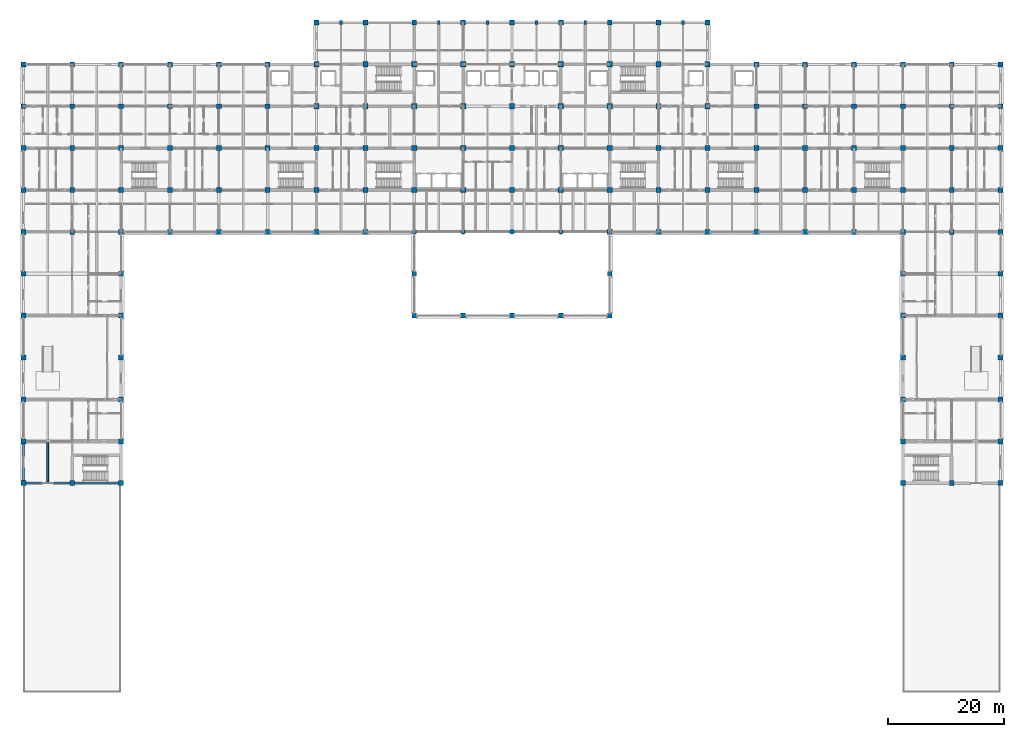
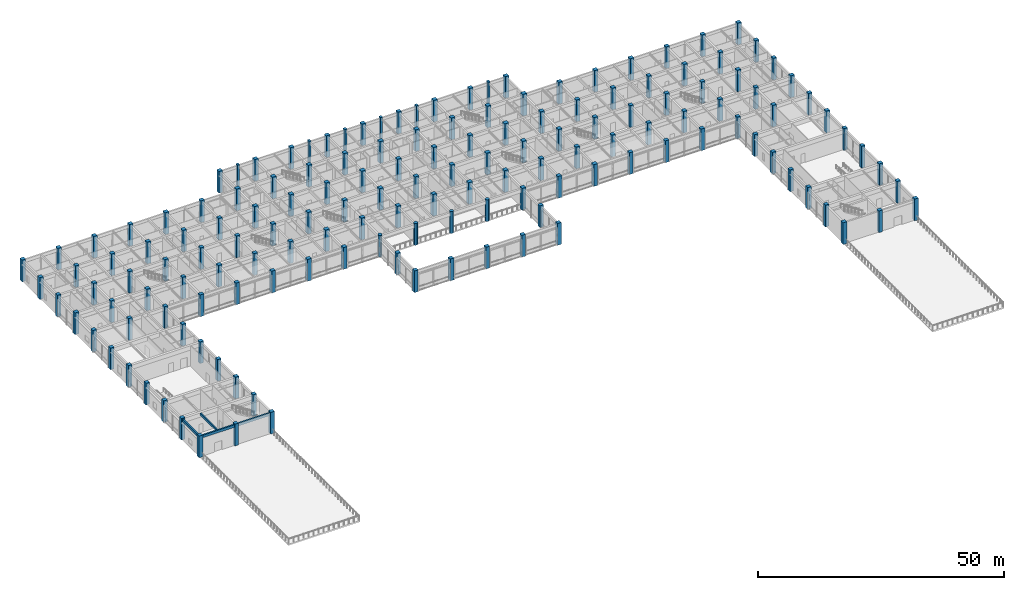
# One storey, part 1 of 51: 153 columns, 4 beams.
"""IFC4 building model written with IfcOpenShell, lengths in metres."""

from ifc_helpers import new_model, si_unit, direction, frame, origin, origin_2d, place, context, subcontext, project, spatial, rectangle, circle, extrude, material, material_profile, profile_set, type_object, element, save


model = new_model("IFC4")

# Units and contexts
model_context = context("Model", 3, precision=1e-05, world=origin(), true_north=direction((0.0, 1.0)))
body_context = subcontext(model_context, "Body", "Model", "MODEL_VIEW")
ifc_project = project(units=[si_unit("LENGTHUNIT", "METRE"), si_unit("AREAUNIT", "SQUARE_METRE"), si_unit("VOLUMEUNIT", "CUBIC_METRE"), si_unit("PLANEANGLEUNIT", "RADIAN"), si_unit("MASSUNIT", "GRAM", prefix="KILO")], contexts=[model_context])

# Site, building, storey
site_placement = place(None, origin())
site = spatial("IfcSite", under=ifc_project, at=site_placement, CompositionType="ELEMENT")
building_placement = place(site_placement, origin())
building = spatial("IfcBuilding", under=site, at=building_placement, Name="Chengyuan Square Courthouse", CompositionType="ELEMENT")
storey_placement = place(building_placement, frame((0.0, 0.0, 10.800048828125)))
storey = spatial("IfcBuildingStorey", under=building, at=storey_placement, Name="L03", CompositionType="ELEMENT", Elevation=10.800048828125)

# Columns
ifc_material_1 = material(Name="Concrete C50", Category="concrete")
ifc_material_profile_1 = material_profile(ifc_material_1, rectangle(XDim=0.89990234375, YDim=0.89990234375, at=origin_2d()), Name="RC-COL-900x900")
ifc_profile_set_1 = profile_set([ifc_material_profile_1], Name="Concrete C50")
column_type_1 = type_object("IfcColumnType", Name="CL-02", PredefinedType="COLUMN", material=ifc_profile_set_1)
for number, where, z_axis, x_axis, name in (
    (1, (50.39990234375, 79.199951171875, 0.0), (0.0, 0.0, 1.0), (1.0, 0.0, 0.0), "Column CL-L03-044"),
    (2, (50.39990234375, 86.39990234375, 0.0), (0.0, 0.0, 1.0), (1.0, 0.0, 0.0), "Column CL-L03-045"),
    (3, (50.39990234375, 93.60009765625, 0.0), (0.0, 0.0, 1.0), (1.0, 0.0, 0.0), "Column CL-L03-046"),
    (4, (50.39990234375, 100.800048828125, 0.0), (0.0, 0.0, 1.0), (1.0, 0.0, 0.0), "Column CL-L03-047"),
    (5, (50.39990234375, 108.0, 0.0), (0.0, 0.0, 1.0), (1.0, 0.0, 0.0), "Column CL-L03-048"),
    (6, (58.800048828125, 79.199951171875, 0.0), (0.0, 0.0, 1.0), (1.0, 0.0, 0.0), "Column CL-L03-050"),
    (7, (58.800048828125, 86.39990234375, 0.0), (0.0, 0.0, 1.0), (1.0, 0.0, 0.0), "Column CL-L03-051"),
    (8, (58.800048828125, 93.60009765625, 0.0), (0.0, 0.0, 1.0), (1.0, 0.0, 0.0), "Column CL-L03-052"),
    (9, (58.800048828125, 100.800048828125, 0.0), (0.0, 0.0, 1.0), (1.0, 0.0, 0.0), "Column CL-L03-053"),
    (10, (58.800048828125, 108.0, 0.0), (0.0, 0.0, 1.0), (1.0, 0.0, 0.0), "Column CL-L03-054"),
    (11, (67.199951171875, 86.39990234375, 0.0), (0.0, 0.0, 1.0), (1.0, 0.0, 0.0), "Column CL-L03-059"),
    (12, (67.199951171875, 93.60009765625, 0.0), (0.0, 0.0, 1.0), (1.0, 0.0, 0.0), "Column CL-L03-060"),
    (13, (67.199951171875, 100.800048828125, 0.0), (0.0, 0.0, 1.0), (1.0, 0.0, 0.0), "Column CL-L03-061"),
    (14, (67.199951171875, 108.0, 0.0), (0.0, 0.0, 1.0), (1.0, 0.0, 0.0), "Column CL-L03-062"),
    (15, (75.60009765625, 86.39990234375, 0.0), (0.0, 0.0, 1.0), (1.0, 0.0, 0.0), "Column CL-L03-066"),
    (16, (75.60009765625, 93.60009765625, 0.0), (0.0, 0.0, 1.0), (1.0, 0.0, 0.0), "Column CL-L03-067"),
    (17, (75.60009765625, 100.800048828125, 0.0), (0.0, 0.0, 1.0), (1.0, 0.0, 0.0), "Column CL-L03-068"),
    (18, (75.60009765625, 108.0, 0.0), (0.0, 0.0, 1.0), (1.0, 0.0, 0.0), "Column CL-L03-069"),
    (19, (84.0, 86.39990234375, 0.0), (0.0, 0.0, 1.0), (1.0, 0.0, 0.0), "Column CL-L03-073"),
    (20, (84.0, 93.60009765625, 0.0), (0.0, 0.0, 1.0), (1.0, 0.0, 0.0), "Column CL-L03-074"),
    (21, (84.0, 100.800048828125, 0.0), (0.0, 0.0, 1.0), (1.0, 0.0, 0.0), "Column CL-L03-075"),
    (22, (84.0, 108.0, 0.0), (0.0, 0.0, 1.0), (1.0, 0.0, 0.0), "Column CL-L03-076"),
    (23, (92.39990234375, 86.39990234375, 0.0), (0.0, 0.0, 1.0), (1.0, 0.0, 0.0), "Column CL-L03-080"),
    (24, (92.39990234375, 93.60009765625, 0.0), (0.0, 0.0, 1.0), (1.0, 0.0, 0.0), "Column CL-L03-081"),
    (25, (92.39990234375, 100.800048828125, 0.0), (0.0, 0.0, 1.0), (1.0, 0.0, 0.0), "Column CL-L03-082"),
    (26, (92.39990234375, 108.0, 0.0), (0.0, 0.0, 1.0), (1.0, 0.0, 0.0), "Column CL-L03-083"),
    (27, (100.800048828125, 79.199951171875, 0.0), (0.0, 0.0, 1.0), (1.0, 0.0, 0.0), "Column CL-L03-087"),
    (28, (100.800048828125, 86.39990234375, 0.0), (0.0, 0.0, 1.0), (1.0, 0.0, 0.0), "Column CL-L03-088"),
    (29, (100.800048828125, 93.60009765625, 0.0), (0.0, 0.0, 1.0), (1.0, 0.0, 0.0), "Column CL-L03-089"),
    (30, (100.800048828125, 100.800048828125, 0.0), (0.0, 0.0, 1.0), (1.0, 0.0, 0.0), "Column CL-L03-090"),
    (31, (100.800048828125, 108.0, 0.0), (0.0, 0.0, 1.0), (1.0, 0.0, 0.0), "Column CL-L03-091"),
    (32, (109.199951171875, 79.199951171875, 0.0), (0.0, 0.0, 1.0), (1.0, 0.0, 0.0), "Column CL-L03-093"),
    (33, (109.199951171875, 86.39990234375, 0.0), (0.0, 0.0, 1.0), (1.0, 0.0, 0.0), "Column CL-L03-094"),
    (34, (109.199951171875, 93.60009765625, 0.0), (0.0, 0.0, 1.0), (1.0, 0.0, 0.0), "Column CL-L03-095"),
    (35, (109.199951171875, 100.800048828125, 0.0), (0.0, 0.0, 1.0), (1.0, 0.0, 0.0), "Column CL-L03-096"),
    (36, (109.199951171875, 108.0, 0.0), (0.0, 0.0, 1.0), (1.0, 0.0, 0.0), "Column CL-L03-097"),
    (37, (117.60009765625, 79.199951171875, 0.0), (0.0, 0.0, 1.0), (1.0, 0.0, 0.0), "Column CL-L03-099"),
    (38, (117.60009765625, 86.39990234375, 0.0), (0.0, 0.0, 1.0), (1.0, 0.0, 0.0), "Column CL-L03-100"),
    (39, (117.60009765625, 93.60009765625, 0.0), (0.0, 0.0, 1.0), (1.0, 0.0, 0.0), "Column CL-L03-101"),
    (40, (117.60009765625, 100.800048828125, 0.0), (0.0, 0.0, 1.0), (1.0, 0.0, 0.0), "Column CL-L03-102"),
    (41, (117.60009765625, 108.0, 0.0), (0.0, 0.0, 1.0), (1.0, 0.0, 0.0), "Column CL-L03-103"),
):
    element("IfcColumn", number, at=place(storey_placement, frame(where, z_axis=z_axis, x_axis=x_axis)), inside=storey, type_object=column_type_1, Name=name, PredefinedType="COLUMN", context=body_context, shape_type="SweptSolid", body=[
        extrude(rectangle(XDim=0.89990234375, YDim=0.89990234375, at=origin_2d()), origin(), (0.0, 0.0, 1.0), 5.39990234375),
    ])
ifc_material_profile_2 = material_profile(ifc_material_1, rectangle(XDim=0.85009765625, YDim=0.85009765625, at=origin_2d()), Name="RC-COL-850x850")
ifc_profile_set_2 = profile_set([ifc_material_profile_2], Name="Concrete C50")
column_type_2 = type_object("IfcColumnType", Name="CL-03", PredefinedType="COLUMN", material=ifc_profile_set_2)
for number, where, z_axis, x_axis, name in (
    (42, (0.0, 36.0, 0.0), (0.0, 0.0, 1.0), (1.0, 0.0, 0.0), "Column CL-L03-001"),
    (43, (0.0, 43.199951171875, 0.0), (0.0, 0.0, 1.0), (1.0, 0.0, 0.0), "Column CL-L03-002"),
    (44, (0.0, 50.39990234375, 0.0), (0.0, 0.0, 1.0), (1.0, 0.0, 0.0), "Column CL-L03-003"),
    (45, (0.0, 57.60009765625, 0.0), (0.0, 0.0, 1.0), (1.0, 0.0, 0.0), "Column CL-L03-004"),
    (46, (0.0, 64.800048828125, 0.0), (0.0, 0.0, 1.0), (1.0, 0.0, 0.0), "Column CL-L03-005"),
    (47, (0.0, 72.0, 0.0), (0.0, 0.0, 1.0), (1.0, 0.0, 0.0), "Column CL-L03-006"),
    (48, (0.0, 79.199951171875, 0.0), (0.0, 0.0, 1.0), (1.0, 0.0, 0.0), "Column CL-L03-007"),
    (49, (0.0, 86.39990234375, 0.0), (0.0, 0.0, 1.0), (1.0, 0.0, 0.0), "Column CL-L03-008"),
    (50, (0.0, 93.60009765625, 0.0), (0.0, 0.0, 1.0), (1.0, 0.0, 0.0), "Column CL-L03-009"),
    (51, (0.0, 100.800048828125, 0.0), (0.0, 0.0, 1.0), (1.0, 0.0, 0.0), "Column CL-L03-010"),
    (52, (0.0, 108.0, 0.0), (0.0, 0.0, 1.0), (1.0, 0.0, 0.0), "Column CL-L03-011"),
    (53, (8.39990234375, 36.0, 0.0), (0.0, 0.0, 1.0), (1.0, 0.0, 0.0), "Column CL-L03-012"),
    (54, (8.39990234375, 79.199951171875, 0.0), (0.0, 0.0, 1.0), (1.0, 0.0, 0.0), "Column CL-L03-013"),
    (55, (8.39990234375, 86.39990234375, 0.0), (0.0, 0.0, 1.0), (1.0, 0.0, 0.0), "Column CL-L03-014"),
    (56, (8.39990234375, 93.60009765625, 0.0), (0.0, 0.0, 1.0), (1.0, 0.0, 0.0), "Column CL-L03-015"),
    (57, (8.39990234375, 100.800048828125, 0.0), (0.0, 0.0, 1.0), (1.0, 0.0, 0.0), "Column CL-L03-016"),
    (58, (8.39990234375, 108.0, 0.0), (0.0, 0.0, 1.0), (1.0, 0.0, 0.0), "Column CL-L03-017"),
    (59, (16.800048828125, 36.0, 0.0), (0.0, 0.0, 1.0), (1.0, 0.0, 0.0), "Column CL-L03-018"),
    (60, (16.800048828125, 43.199951171875, 0.0), (0.0, 0.0, 1.0), (1.0, 0.0, 0.0), "Column CL-L03-019"),
    (61, (16.800048828125, 50.39990234375, 0.0), (0.0, 0.0, 1.0), (1.0, 0.0, 0.0), "Column CL-L03-020"),
    (62, (16.800048828125, 57.60009765625, 0.0), (0.0, 0.0, 1.0), (1.0, 0.0, 0.0), "Column CL-L03-021"),
    (63, (16.800048828125, 64.800048828125, 0.0), (0.0, 0.0, 1.0), (1.0, 0.0, 0.0), "Column CL-L03-022"),
    (64, (16.800048828125, 72.0, 0.0), (0.0, 0.0, 1.0), (1.0, 0.0, 0.0), "Column CL-L03-023"),
    (65, (16.800048828125, 79.199951171875, 0.0), (0.0, 0.0, 1.0), (1.0, 0.0, 0.0), "Column CL-L03-024"),
    (66, (16.800048828125, 86.39990234375, 0.0), (0.0, 0.0, 1.0), (1.0, 0.0, 0.0), "Column CL-L03-025"),
    (67, (16.800048828125, 93.60009765625, 0.0), (0.0, 0.0, 1.0), (1.0, 0.0, 0.0), "Column CL-L03-026"),
    (68, (16.800048828125, 100.800048828125, 0.0), (0.0, 0.0, 1.0), (1.0, 0.0, 0.0), "Column CL-L03-027"),
    (69, (16.800048828125, 108.0, 0.0), (0.0, 0.0, 1.0), (1.0, 0.0, 0.0), "Column CL-L03-028"),
    (70, (25.199951171875, 79.199951171875, 0.0), (0.0, 0.0, 1.0), (1.0, 0.0, 0.0), "Column CL-L03-029"),
    (71, (25.199951171875, 86.39990234375, 0.0), (0.0, 0.0, 1.0), (1.0, 0.0, 0.0), "Column CL-L03-030"),
    (72, (25.199951171875, 93.60009765625, 0.0), (0.0, 0.0, 1.0), (1.0, 0.0, 0.0), "Column CL-L03-031"),
    (73, (25.199951171875, 100.800048828125, 0.0), (0.0, 0.0, 1.0), (1.0, 0.0, 0.0), "Column CL-L03-032"),
    (74, (25.199951171875, 108.0, 0.0), (0.0, 0.0, 1.0), (1.0, 0.0, 0.0), "Column CL-L03-033"),
    (75, (33.60009765625, 79.199951171875, 0.0), (0.0, 0.0, 1.0), (1.0, 0.0, 0.0), "Column CL-L03-034"),
    (76, (33.60009765625, 86.39990234375, 0.0), (0.0, 0.0, 1.0), (1.0, 0.0, 0.0), "Column CL-L03-035"),
    (77, (33.60009765625, 93.60009765625, 0.0), (0.0, 0.0, 1.0), (1.0, 0.0, 0.0), "Column CL-L03-036"),
    (78, (33.60009765625, 100.800048828125, 0.0), (0.0, 0.0, 1.0), (1.0, 0.0, 0.0), "Column CL-L03-037"),
    (79, (33.60009765625, 108.0, 0.0), (0.0, 0.0, 1.0), (1.0, 0.0, 0.0), "Column CL-L03-038"),
    (80, (42.0, 79.199951171875, 0.0), (0.0, 0.0, 1.0), (1.0, 0.0, 0.0), "Column CL-L03-039"),
    (81, (42.0, 86.39990234375, 0.0), (0.0, 0.0, 1.0), (1.0, 0.0, 0.0), "Column CL-L03-040"),
    (82, (42.0, 93.60009765625, 0.0), (0.0, 0.0, 1.0), (1.0, 0.0, 0.0), "Column CL-L03-041"),
    (83, (42.0, 100.800048828125, 0.0), (0.0, 0.0, 1.0), (1.0, 0.0, 0.0), "Column CL-L03-042"),
    (84, (42.0, 108.0, 0.0), (0.0, 0.0, 1.0), (1.0, 0.0, 0.0), "Column CL-L03-043"),
    (85, (50.39990234375, 115.199951171875, 0.0), (0.0, 0.0, 1.0), (1.0, 0.0, 0.0), "Column CL-L03-049"),
    (86, (58.800048828125, 115.199951171875, 0.0), (0.0, 0.0, 1.0), (1.0, 0.0, 0.0), "Column CL-L03-055"),
    (87, (67.199951171875, 64.800048828125, 0.0), (0.0, 0.0, 1.0), (1.0, 0.0, 0.0), "Column CL-L03-056"),
    (88, (67.199951171875, 72.0, 0.0), (0.0, 0.0, 1.0), (1.0, 0.0, 0.0), "Column CL-L03-057"),
    (89, (67.199951171875, 115.199951171875, 0.0), (0.0, 0.0, 1.0), (1.0, 0.0, 0.0), "Column CL-L03-063"),
    (90, (75.60009765625, 64.800048828125, 0.0), (0.0, 0.0, 1.0), (1.0, 0.0, 0.0), "Column CL-L03-064"),
    (91, (75.60009765625, 115.199951171875, 0.0), (0.0, 0.0, 1.0), (1.0, 0.0, 0.0), "Column CL-L03-070"),
    (92, (84.0, 64.800048828125, 0.0), (0.0, 0.0, 1.0), (1.0, 0.0, 0.0), "Column CL-L03-071"),
    (93, (84.0, 115.199951171875, 0.0), (0.0, 0.0, 1.0), (1.0, 0.0, 0.0), "Column CL-L03-077"),
    (94, (92.39990234375, 64.800048828125, 0.0), (0.0, 0.0, 1.0), (1.0, 0.0, 0.0), "Column CL-L03-078"),
    (95, (92.39990234375, 115.199951171875, 0.0), (0.0, 0.0, 1.0), (1.0, 0.0, 0.0), "Column CL-L03-084"),
    (96, (100.800048828125, 64.800048828125, 0.0), (0.0, 0.0, 1.0), (1.0, 0.0, 0.0), "Column CL-L03-085"),
    (97, (100.800048828125, 72.0, 0.0), (0.0, 0.0, 1.0), (1.0, 0.0, 0.0), "Column CL-L03-086"),
    (98, (100.800048828125, 115.199951171875, 0.0), (0.0, 0.0, 1.0), (1.0, 0.0, 0.0), "Column CL-L03-092"),
    (99, (109.199951171875, 115.199951171875, 0.0), (0.0, 0.0, 1.0), (1.0, 0.0, 0.0), "Column CL-L03-098"),
    (100, (117.60009765625, 115.199951171875, 0.0), (0.0, 0.0, 1.0), (1.0, 0.0, 0.0), "Column CL-L03-104"),
    (101, (126.0, 79.199951171875, 0.0), (0.0, 0.0, 1.0), (1.0, 0.0, 0.0), "Column CL-L03-105"),
    (102, (126.0, 86.39990234375, 0.0), (0.0, 0.0, 1.0), (1.0, 0.0, 0.0), "Column CL-L03-106"),
    (103, (126.0, 93.60009765625, 0.0), (0.0, 0.0, 1.0), (1.0, 0.0, 0.0), "Column CL-L03-107"),
    (104, (126.0, 100.800048828125, 0.0), (0.0, 0.0, 1.0), (1.0, 0.0, 0.0), "Column CL-L03-108"),
    (105, (126.0, 108.0, 0.0), (0.0, 0.0, 1.0), (1.0, 0.0, 0.0), "Column CL-L03-109"),
    (106, (134.39990234375, 79.199951171875, 0.0), (0.0, 0.0, 1.0), (1.0, 0.0, 0.0), "Column CL-L03-110"),
    (107, (134.39990234375, 86.39990234375, 0.0), (0.0, 0.0, 1.0), (1.0, 0.0, 0.0), "Column CL-L03-111"),
    (108, (134.39990234375, 93.60009765625, 0.0), (0.0, 0.0, 1.0), (1.0, 0.0, 0.0), "Column CL-L03-112"),
    (109, (134.39990234375, 100.800048828125, 0.0), (0.0, 0.0, 1.0), (1.0, 0.0, 0.0), "Column CL-L03-113"),
    (110, (134.39990234375, 108.0, 0.0), (0.0, 0.0, 1.0), (1.0, 0.0, 0.0), "Column CL-L03-114"),
    (111, (142.800048828125, 79.199951171875, 0.0), (0.0, 0.0, 1.0), (1.0, 0.0, 0.0), "Column CL-L03-115"),
    (112, (142.800048828125, 86.39990234375, 0.0), (0.0, 0.0, 1.0), (1.0, 0.0, 0.0), "Column CL-L03-116"),
    (113, (142.800048828125, 93.60009765625, 0.0), (0.0, 0.0, 1.0), (1.0, 0.0, 0.0), "Column CL-L03-117"),
    (114, (142.800048828125, 100.800048828125, 0.0), (0.0, 0.0, 1.0), (1.0, 0.0, 0.0), "Column CL-L03-118"),
    (115, (142.800048828125, 108.0, 0.0), (0.0, 0.0, 1.0), (1.0, 0.0, 0.0), "Column CL-L03-119"),
    (116, (151.199951171875, 36.0, 0.0), (0.0, 0.0, 1.0), (1.0, 0.0, 0.0), "Column CL-L03-120"),
    (117, (151.199951171875, 43.199951171875, 0.0), (0.0, 0.0, 1.0), (1.0, 0.0, 0.0), "Column CL-L03-121"),
    (118, (151.199951171875, 50.39990234375, 0.0), (0.0, 0.0, 1.0), (1.0, 0.0, 0.0), "Column CL-L03-122"),
    (119, (151.199951171875, 57.60009765625, 0.0), (0.0, 0.0, 1.0), (1.0, 0.0, 0.0), "Column CL-L03-123"),
    (120, (151.199951171875, 64.800048828125, 0.0), (0.0, 0.0, 1.0), (1.0, 0.0, 0.0), "Column CL-L03-124"),
    (121, (151.199951171875, 72.0, 0.0), (0.0, 0.0, 1.0), (1.0, 0.0, 0.0), "Column CL-L03-125"),
    (122, (151.199951171875, 79.199951171875, 0.0), (0.0, 0.0, 1.0), (1.0, 0.0, 0.0), "Column CL-L03-126"),
    (123, (151.199951171875, 86.39990234375, 0.0), (0.0, 0.0, 1.0), (1.0, 0.0, 0.0), "Column CL-L03-127"),
    (124, (151.199951171875, 93.60009765625, 0.0), (0.0, 0.0, 1.0), (1.0, 0.0, 0.0), "Column CL-L03-128"),
    (125, (151.199951171875, 100.800048828125, 0.0), (0.0, 0.0, 1.0), (1.0, 0.0, 0.0), "Column CL-L03-129"),
    (126, (151.199951171875, 108.0, 0.0), (0.0, 0.0, 1.0), (1.0, 0.0, 0.0), "Column CL-L03-130"),
    (127, (159.60009765625, 36.0, 0.0), (0.0, 0.0, 1.0), (1.0, 0.0, 0.0), "Column CL-L03-131"),
    (128, (159.60009765625, 79.199951171875, 0.0), (0.0, 0.0, 1.0), (1.0, 0.0, 0.0), "Column CL-L03-132"),
    (129, (159.60009765625, 86.39990234375, 0.0), (0.0, 0.0, 1.0), (1.0, 0.0, 0.0), "Column CL-L03-133"),
    (130, (159.60009765625, 93.60009765625, 0.0), (0.0, 0.0, 1.0), (1.0, 0.0, 0.0), "Column CL-L03-134"),
    (131, (159.60009765625, 100.800048828125, 0.0), (0.0, 0.0, 1.0), (1.0, 0.0, 0.0), "Column CL-L03-135"),
    (132, (159.60009765625, 108.0, 0.0), (0.0, 0.0, 1.0), (1.0, 0.0, 0.0), "Column CL-L03-136"),
    (133, (168.0, 36.0, 0.0), (0.0, 0.0, 1.0), (1.0, 0.0, 0.0), "Column CL-L03-137"),
    (134, (168.0, 43.199951171875, 0.0), (0.0, 0.0, 1.0), (1.0, 0.0, 0.0), "Column CL-L03-138"),
    (135, (168.0, 50.39990234375, 0.0), (0.0, 0.0, 1.0), (1.0, 0.0, 0.0), "Column CL-L03-139"),
    (136, (168.0, 57.60009765625, 0.0), (0.0, 0.0, 1.0), (1.0, 0.0, 0.0), "Column CL-L03-140"),
    (137, (168.0, 64.800048828125, 0.0), (0.0, 0.0, 1.0), (1.0, 0.0, 0.0), "Column CL-L03-141"),
    (138, (168.0, 72.0, 0.0), (0.0, 0.0, 1.0), (1.0, 0.0, 0.0), "Column CL-L03-142"),
    (139, (168.0, 79.199951171875, 0.0), (0.0, 0.0, 1.0), (1.0, 0.0, 0.0), "Column CL-L03-143"),
    (140, (168.0, 86.39990234375, 0.0), (0.0, 0.0, 1.0), (1.0, 0.0, 0.0), "Column CL-L03-144"),
    (141, (168.0, 93.60009765625, 0.0), (0.0, 0.0, 1.0), (1.0, 0.0, 0.0), "Column CL-L03-145"),
    (142, (168.0, 100.800048828125, 0.0), (0.0, 0.0, 1.0), (1.0, 0.0, 0.0), "Column CL-L03-146"),
    (143, (168.0, 108.0, 0.0), (0.0, 0.0, 1.0), (1.0, 0.0, 0.0), "Column CL-L03-147"),
):
    element("IfcColumn", number, at=place(storey_placement, frame(where, z_axis=z_axis, x_axis=x_axis)), inside=storey, type_object=column_type_2, Name=name, PredefinedType="COLUMN", context=body_context, shape_type="SweptSolid", body=[
        extrude(rectangle(XDim=0.85009765625, YDim=0.85009765625, at=origin_2d()), origin(), (0.0, 0.0, 1.0), 5.39990234375),
    ])
ifc_material_profile_3 = material_profile(ifc_material_1, circle(Radius=0.425048828125, at=origin_2d()), Name="RC-COL-D850")
ifc_profile_set_3 = profile_set([ifc_material_profile_3], Name="Concrete C50")
column_type_3 = type_object("IfcColumnType", Name="CL-08", PredefinedType="COLUMN", material=ifc_profile_set_3)
for number, where, z_axis, x_axis, name in (
    (144, (67.199951171875, 79.199951171875, 0.0), (0.0, 0.0, 1.0), (1.0, 0.0, 0.0), "Column CL-L03-058"),
    (145, (75.60009765625, 79.199951171875, 0.0), (0.0, 0.0, 1.0), (1.0, 0.0, 0.0), "Column CL-L03-065"),
    (146, (84.0, 79.199951171875, 0.0), (0.0, 0.0, 1.0), (1.0, 0.0, 0.0), "Column CL-L03-072"),
    (147, (92.39990234375, 79.199951171875, 0.0), (0.0, 0.0, 1.0), (1.0, 0.0, 0.0), "Column CL-L03-079"),
):
    element("IfcColumn", number, at=place(storey_placement, frame(where, z_axis=z_axis, x_axis=x_axis)), inside=storey, type_object=column_type_3, Name=name, PredefinedType="COLUMN", context=body_context, shape_type="SweptSolid", body=[
        extrude(circle(Radius=0.425048828125, at=origin_2d()), origin(), (0.0, 0.0, 1.0), 5.39990234375),
    ])
ifc_material_2 = material(Name="Concrete C40", Category="concrete")
ifc_material_profile_4 = material_profile(ifc_material_2, rectangle(XDim=0.5, YDim=0.64990234375, at=origin_2d()), Name="RC-PIL-500x650")
ifc_profile_set_4 = profile_set([ifc_material_profile_4], Name="Concrete C40")
column_type_4 = type_object("IfcColumnType", Name="CL-09", PredefinedType="PILASTER", material=ifc_profile_set_4)
for number, where, z_axis, x_axis, name in (
    (148, (54.60009765625, 115.199951171875, 0.0), (0.0, 0.0, 1.0), (1.0, 0.0, 0.0), "Engaged Pilaster PLST-L03-148"),
    (149, (71.39990234375, 115.199951171875, 0.0), (0.0, 0.0, 1.0), (1.0, 0.0, 0.0), "Engaged Pilaster PLST-L03-149"),
    (150, (79.800048828125, 115.199951171875, 0.0), (0.0, 0.0, 1.0), (1.0, 0.0, 0.0), "Engaged Pilaster PLST-L03-150"),
    (151, (88.199951171875, 115.199951171875, 0.0), (0.0, 0.0, 1.0), (1.0, 0.0, 0.0), "Engaged Pilaster PLST-L03-151"),
    (152, (96.60009765625, 115.199951171875, 0.0), (0.0, 0.0, 1.0), (1.0, 0.0, 0.0), "Engaged Pilaster PLST-L03-152"),
    (153, (113.39990234375, 115.199951171875, 0.0), (0.0, 0.0, 1.0), (1.0, 0.0, 0.0), "Engaged Pilaster PLST-L03-153"),
):
    element("IfcColumn", number, at=place(storey_placement, frame(where, z_axis=z_axis, x_axis=x_axis)), inside=storey, type_object=column_type_4, Name=name, PredefinedType="PILASTER", context=body_context, shape_type="SweptSolid", body=[
        extrude(rectangle(XDim=0.5, YDim=0.64990234375, at=origin_2d()), origin(), (0.0, 0.0, 1.0), 5.39990234375),
    ])

# Beams
ifc_material_profile_5 = material_profile(ifc_material_2, rectangle(XDim=0.35009765625, YDim=0.64990234375, at=origin_2d()), Name="RC-BM-350x650")
ifc_profile_set_5 = profile_set([ifc_material_profile_5], Name="Concrete C40")
beam_type_1 = type_object("IfcBeamType", Name="BM-03", PredefinedType="SPANDREL", material=ifc_profile_set_5)
beam_1_placement = place(storey_placement, frame((0.0, 36.0, 4.794921875), z_axis=(1.0, 0.0, 0.0), x_axis=(0.0, 1.0, 0.0)))
element("IfcBeam", 154, at=beam_1_placement, inside=storey, type_object=beam_type_1, Name="Girder BM-L03-2508", PredefinedType="SPANDREL", context=body_context, shape_type="SweptSolid", body=[
    extrude(rectangle(XDim=0.35009765625, YDim=0.64990234375, at=origin_2d()), origin(), (0.0, 0.0, 1.0), 8.39990234375),
])
beam_2_placement = place(storey_placement, frame((8.39990234375, 36.0, 4.794921875), z_axis=(1.0, 0.0, 0.0), x_axis=(0.0, 1.0, 0.0)))
element("IfcBeam", 155, at=beam_2_placement, inside=storey, type_object=beam_type_1, Name="Girder BM-L03-2509", PredefinedType="SPANDREL", context=body_context, shape_type="SweptSolid", body=[
    extrude(rectangle(XDim=0.35009765625, YDim=0.64990234375, at=origin_2d()), origin(), (0.0, 0.0, 1.0), 8.400146484375),
])
beam_3_placement = place(storey_placement, frame((0.0, 36.0, 4.794921875), z_axis=(0.0, 1.0, 0.0), x_axis=(-1.0, 0.0, 0.0)))
element("IfcBeam", 156, at=beam_3_placement, inside=storey, type_object=beam_type_1, Name="Girder BM-L03-2632", PredefinedType="SPANDREL", context=body_context, shape_type="SweptSolid", body=[
    extrude(rectangle(XDim=0.35009765625, YDim=0.64990234375, at=origin_2d()), origin(), (0.0, 0.0, 1.0), 7.199951171875),
])
ifc_material_profile_6 = material_profile(ifc_material_2, rectangle(XDim=0.300048828125, YDim=0.550048828125, at=origin_2d()), Name="RC-BM-300x550")
ifc_profile_set_6 = profile_set([ifc_material_profile_6], Name="Concrete C40")
beam_type_2 = type_object("IfcBeamType", Name="BM-04", PredefinedType="BEAM", material=ifc_profile_set_6)
beam_4_placement = place(storey_placement, frame((4.199951171875, 36.175048828125, 4.844970703125), z_axis=(0.0, 1.0, 0.0), x_axis=(-1.0, 0.0, 0.0)))
element("IfcBeam", 157, at=beam_4_placement, inside=storey, type_object=beam_type_2, Name="Secondary Floor Beam SBM-L03-2753", PredefinedType="BEAM", context=body_context, shape_type="SweptSolid", body=[
    extrude(rectangle(XDim=0.300048828125, YDim=0.550048828125, at=origin_2d()), origin(), (0.0, 0.0, 1.0), 6.75),
])

save(model, "model.ifc")
